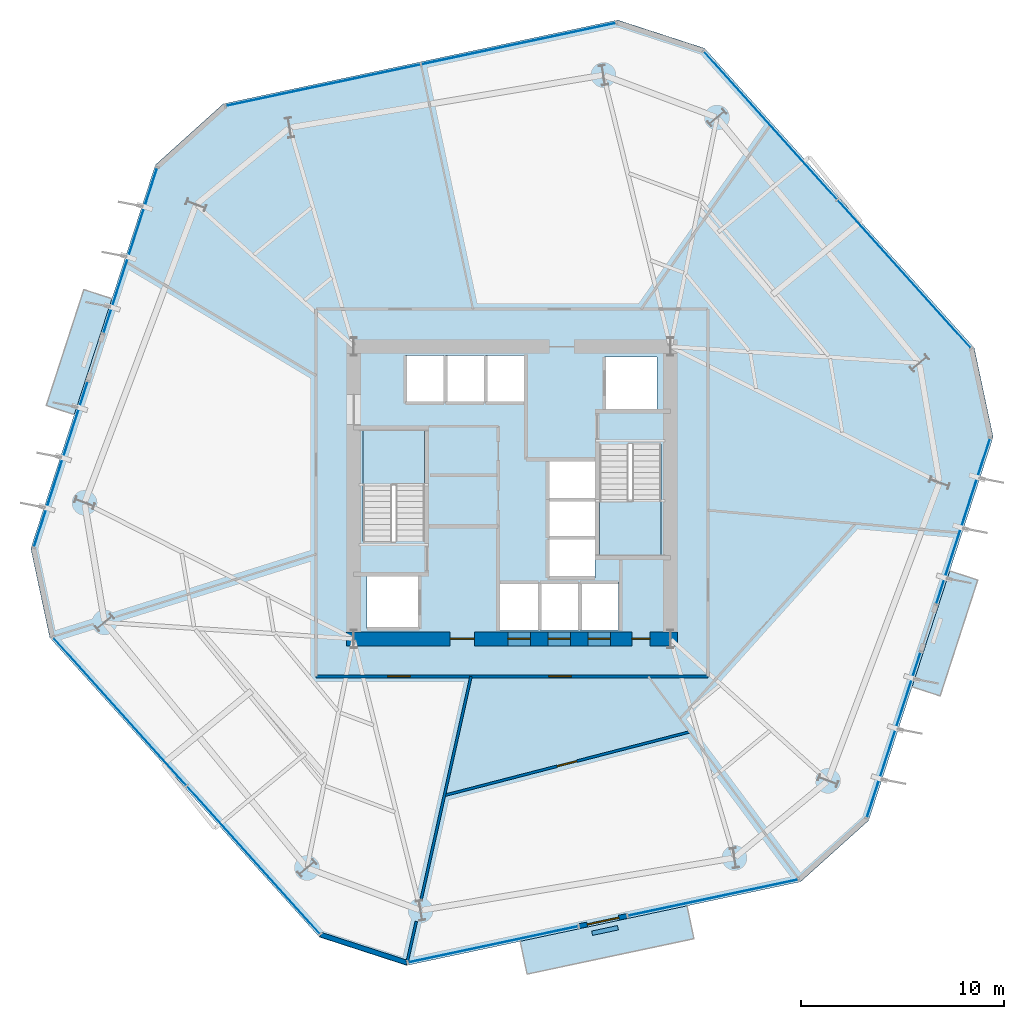
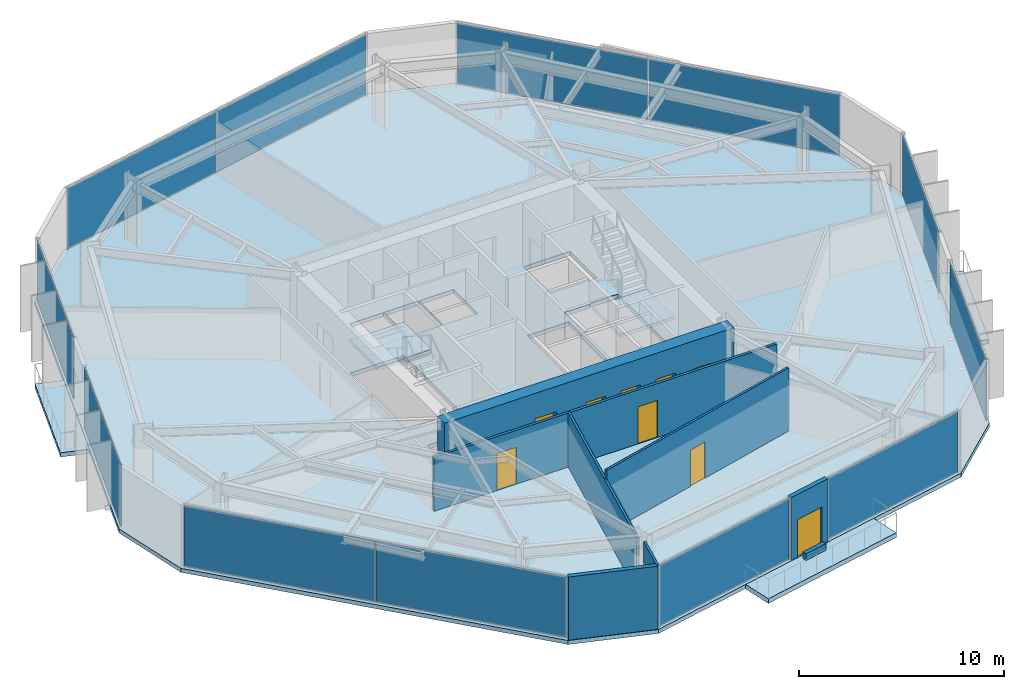
# One storey, part 5 of 10: 12 plates, 9 doors, 8 walls, 6 slabs, 9 openings, 11 elements without a shape of their own.
"""IFC4 building model written with IfcOpenShell, lengths in metres."""

from ifc_helpers import new_model, si_unit, direction, frame, frame_2d, origin, origin_2d, place, context, subcontext, project, spatial, polyline, rectangle, outline, extrude, material, layer, layer_set, type_object, element, fill, aggregate, save


model = new_model("IFC4")

# Units and contexts
model_context = context("Model", 3, precision=1e-05, world=origin(), true_north=direction((0.0, 1.0)))
body_context = subcontext(model_context, "Body", "Model", "MODEL_VIEW")
ifc_project = project(units=[si_unit("LENGTHUNIT", "METRE"), si_unit("AREAUNIT", "SQUARE_METRE"), si_unit("VOLUMEUNIT", "CUBIC_METRE"), si_unit("PLANEANGLEUNIT", "RADIAN"), si_unit("MASSUNIT", "GRAM", prefix="KILO")], contexts=[model_context])

# Site, building, storey
site_placement = place(None, origin())
site = spatial("IfcSite", under=ifc_project, at=site_placement, CompositionType="ELEMENT")
building_placement = place(site_placement, origin())
building = spatial("IfcBuilding", under=site, at=building_placement, Name="Kranzbogen Civic Tower", CompositionType="ELEMENT")
storey_placement = place(building_placement, frame((0.0, 0.0, 68.0)))
storey = spatial("IfcBuildingStorey", under=building, at=storey_placement, Name="L16", CompositionType="ELEMENT", Elevation=68.0)

# Slab
ifc_material_1 = material(Name="Concrete C40/50", Category="concrete")
ifc_layer_1 = layer(ifc_material_1, 0.239990234375, Name="Concrete C40/50")
ifc_layer_set_1 = layer_set([ifc_layer_1], Name="Concrete C40/50")
slab_type_1 = type_object("IfcSlabType", Name="Composite Lower Tower Floor Slab 240 mm", PredefinedType="FLOOR", material=ifc_layer_set_1)
slab_1_placement = place(storey_placement, frame((0.0, 0.0, -0.239990234375)))
element("IfcSlab", 1, at=slab_1_placement, inside=storey, type_object=slab_type_1, Name="L16 tower floor slab", PredefinedType="FLOOR", context=body_context, shape_type="SweptSolid", body=[
    extrude(outline(polyline([(47.77099609375, 32.139892578125), (34.48095703125, 46.89990234375), (30.201904296875, 48.2900390625), (10.77490234375, 44.160888671875), (7.430908203125, 41.14990234375), (1.29296875, 22.260986328125), (2.22900390625, 17.860107421875), (15.51904296875, 3.10009765625), (19.798095703125, 1.7099609375), (39.22509765625, 5.839111328125), (42.569091796875, 8.85009765625), (48.70703125, 27.739013671875), (47.77099609375, 32.139892578125)]), holes=[polyline([(26.300048828125, 20.60009765625), (26.300048828125, 18.25), (24.39990234375, 18.25), (24.39990234375, 20.60009765625), (26.300048828125, 20.60009765625)]), polyline([(28.27490234375, 18.25), (26.375, 18.25), (26.375, 20.60009765625), (28.27490234375, 20.60009765625), (28.27490234375, 18.25)]), polyline([(20.449951171875, 18.300048828125), (17.85009765625, 18.300048828125), (17.85009765625, 20.89990234375), (20.449951171875, 20.89990234375), (20.449951171875, 18.300048828125)]), polyline([(20.699951171875, 22.659912109375), (19.25, 22.659912109375), (19.25, 22.60009765625), (17.64990234375, 22.60009765625), (17.64990234375, 28.10009765625), (20.699951171875, 28.10009765625), (20.699951171875, 22.659912109375)]), polyline([(21.64990234375, 29.39990234375), (19.75, 29.39990234375), (19.75, 31.75), (21.64990234375, 31.75), (21.64990234375, 29.39990234375)]), polyline([(23.625, 29.39990234375), (21.72509765625, 29.39990234375), (21.72509765625, 31.75), (23.625, 31.75), (23.625, 29.39990234375)]), polyline([(25.60009765625, 31.75), (25.60009765625, 29.39990234375), (23.699951171875, 29.39990234375), (23.699951171875, 31.75), (25.60009765625, 31.75)]), polyline([(30.25, 18.25), (28.35009765625, 18.25), (28.35009765625, 20.60009765625), (30.25, 20.60009765625), (30.25, 18.25)]), polyline([(29.10009765625, 20.800048828125), (26.75, 20.800048828125), (26.75, 22.699951171875), (29.10009765625, 22.699951171875), (29.10009765625, 20.800048828125)]), polyline([(26.75, 26.550048828125), (29.10009765625, 26.550048828125), (29.10009765625, 24.675048828125), (29.10009765625, 24.64990234375), (29.10009765625, 22.77490234375), (26.75, 22.77490234375), (26.75, 24.64990234375), (26.75, 24.675048828125), (26.75, 26.550048828125)]), polyline([(30.75, 27.340087890625), (30.75, 27.39990234375), (32.35009765625, 27.39990234375), (32.35009765625, 21.89990234375), (29.300048828125, 21.89990234375), (29.300048828125, 27.340087890625), (30.75, 27.340087890625)]), polyline([(32.14990234375, 29.10009765625), (29.550048828125, 29.10009765625), (29.550048828125, 31.699951171875), (32.14990234375, 31.699951171875), (32.14990234375, 29.10009765625)])]), origin(), (0.0, 0.0, 1.0), 0.239990234375),
])

# Curtain wall, plates
ifc_material_2 = material(Name="Pale Anodised Aluminium", Category="aluminium")
ifc_layer_2 = layer(ifc_material_2, 0.219970703125, Name="Pale Anodised Aluminium")
ifc_layer_set_2 = layer_set([ifc_layer_2], Name="Pale Anodised Aluminium")
curtain_wall_type = type_object("IfcCurtainWallType", Name="Zone 1 Stick Curtain Wall System CW-02", PredefinedType="USERDEFINED", material=ifc_layer_set_2)
curtain_wall_1_placement = place(storey_placement, origin())
curtain_wall_1 = element("IfcCurtainWall", 2, at=curtain_wall_1_placement, inside=storey, type_object=curtain_wall_type, Name="L16 curtain wall CW-L16-F1", ObjectType="STICK CURTAIN WALL", PredefinedType="USERDEFINED")
ifc_material_3 = material(Name="Low-E Triple Glazing Glass", Category="glass")
ifc_layer_3 = layer(ifc_material_3, 0.033935546875, Name="Low-E Triple Glazing Glass")
ifc_layer_set_3 = layer_set([ifc_layer_3], Name="Low-E Triple Glazing Glass")
plate_type = type_object("IfcPlateType", Name="Insulated Low-E Glazing Panel 34 mm", PredefinedType="CURTAIN_PANEL", material=ifc_layer_set_3)
plate_1_placement = place(storey_placement, frame((44.323974609375, 35.777587890625, 0.06005859375), z_axis=(0.0, 0.0, 1.0), x_axis=(-0.669115812041, 0.743158146074, 0.0)))
plate_1 = element("IfcPlate", 3, at=plate_1_placement, type_object=plate_type, Name="CW-02 panel 1.1", PredefinedType="CURTAIN_PANEL", context=body_context, shape_type="SweptSolid", body=[
    extrude(rectangle(XDim=9.78271484375, YDim=0.028076171875, at=origin_2d()), origin(), (0.0, 0.0, 1.0), 3.639892578125),
])
plate_2_placement = place(storey_placement, frame((37.738037109375, 43.09228515625, 0.06005859375), z_axis=(0.0, 0.0, 1.0), x_axis=(-0.669115812041, 0.743158146074, 0.0)))
plate_2 = element("IfcPlate", 4, at=plate_2_placement, type_object=plate_type, Name="CW-02 panel 2.1", PredefinedType="CURTAIN_PANEL", context=body_context, shape_type="SweptSolid", body=[
    extrude(rectangle(XDim=9.78271484375, YDim=0.028076171875, at=origin_2d()), origin(), (0.0, 0.0, 1.0), 3.639892578125),
])
aggregate(curtain_wall_1, [plate_1, plate_2])

curtain_wall_2_placement = place(storey_placement, origin())
curtain_wall_2 = element("IfcCurtainWall", 5, at=curtain_wall_2_placement, inside=storey, type_object=curtain_wall_type, Name="L16 curtain wall CW-L16-F2", ObjectType="STICK CURTAIN WALL", PredefinedType="USERDEFINED")
plate_3_placement = place(storey_placement, frame((25.328125, 47.123779296875, 0.06005859375), z_axis=(0.0, 0.0, 1.0), x_axis=(-0.97815897964, -0.207858150069, 0.0)))
plate_3 = element("IfcPlate", 6, at=plate_3_placement, type_object=plate_type, Name="CW-02 panel 1.1", PredefinedType="CURTAIN_PANEL", context=body_context, shape_type="SweptSolid", body=[
    extrude(rectangle(XDim=9.7822265625, YDim=0.028076171875, at=origin_2d()), origin(), (0.0, 0.0, 1.0), 3.639892578125),
])
plate_4_placement = place(storey_placement, frame((15.700927734375, 45.078125, 0.06005859375), z_axis=(0.0, 0.0, 1.0), x_axis=(-0.97815897964, -0.207858150069, 0.0)))
plate_4 = element("IfcPlate", 7, at=plate_4_placement, type_object=plate_type, Name="CW-02 panel 2.1", PredefinedType="CURTAIN_PANEL", context=body_context, shape_type="SweptSolid", body=[
    extrude(rectangle(XDim=9.7822265625, YDim=0.028076171875, at=origin_2d()), origin(), (0.0, 0.0, 1.0), 3.639892578125),
])
aggregate(curtain_wall_2, [plate_3, plate_4])

# Curtain wall, plate
curtain_wall_3_placement = place(storey_placement, origin())
curtain_wall_3 = element("IfcCurtainWall", 8, at=curtain_wall_3_placement, inside=storey, type_object=curtain_wall_type, Name="L16 curtain wall CW-L16-F3-S1", ObjectType="STICK CURTAIN WALL", PredefinedType="USERDEFINED")
plate_5_placement = place(storey_placement, frame((6.194091796875, 36.931396484375, 0.06005859375), z_axis=(0.0, 0.0, 1.0), x_axis=(-0.30905738889, -0.951043390373, 0.0)))
plate_5 = element("IfcPlate", 9, at=plate_5_placement, type_object=plate_type, Name="CW-02 panel 1.1", PredefinedType="CURTAIN_PANEL", context=body_context, shape_type="SweptSolid", body=[
    extrude(rectangle(XDim=8.551513671875, YDim=0.028076171875, at=origin_2d()), origin(), (0.0, 0.0, 1.0), 3.639892578125),
])
aggregate(curtain_wall_3, [plate_5])

curtain_wall_4_placement = place(storey_placement, origin())
curtain_wall_4 = element("IfcCurtainWall", 10, at=curtain_wall_4_placement, inside=storey, type_object=curtain_wall_type, Name="L16 curtain wall CW-L16-F3-S2", ObjectType="STICK CURTAIN WALL", PredefinedType="USERDEFINED")
plate_6_placement = place(storey_placement, frame((2.77197265625, 26.40087890625, 0.06005859375), z_axis=(0.0, 0.0, 1.0), x_axis=(-0.30902349677, -0.951054403514, 0.0)))
plate_6 = element("IfcPlate", 11, at=plate_6_placement, type_object=plate_type, Name="CW-02 panel 1.1", PredefinedType="CURTAIN_PANEL", context=body_context, shape_type="SweptSolid", body=[
    extrude(rectangle(XDim=8.552490234375, YDim=0.028076171875, at=origin_2d()), origin(), (0.0, 0.0, 1.0), 3.639892578125),
])
aggregate(curtain_wall_4, [plate_6])

# Curtain wall, plates
curtain_wall_5_placement = place(storey_placement, origin())
curtain_wall_5 = element("IfcCurtainWall", 12, at=curtain_wall_5_placement, inside=storey, type_object=curtain_wall_type, Name="L16 curtain wall CW-L16-F4", ObjectType="STICK CURTAIN WALL", PredefinedType="USERDEFINED")
plate_7_placement = place(storey_placement, frame((5.676025390625, 14.222412109375, 0.06005859375), z_axis=(0.0, 0.0, 1.0), x_axis=(0.669115812041, -0.743158146074, 0.0)))
plate_7 = element("IfcPlate", 13, at=plate_7_placement, type_object=plate_type, Name="CW-02 panel 1.1", PredefinedType="CURTAIN_PANEL", context=body_context, shape_type="SweptSolid", body=[
    extrude(rectangle(XDim=9.78271484375, YDim=0.028076171875, at=origin_2d()), origin(), (0.0, 0.0, 1.0), 3.639892578125),
])
plate_8_placement = place(storey_placement, frame((12.261962890625, 6.90771484375, 0.06005859375), z_axis=(0.0, 0.0, 1.0), x_axis=(0.669115812041, -0.743158146074, 0.0)))
plate_8 = element("IfcPlate", 14, at=plate_8_placement, type_object=plate_type, Name="CW-02 panel 2.1", PredefinedType="CURTAIN_PANEL", context=body_context, shape_type="SweptSolid", body=[
    extrude(rectangle(XDim=9.78271484375, YDim=0.028076171875, at=origin_2d()), origin(), (0.0, 0.0, 1.0), 3.639892578125),
])
aggregate(curtain_wall_5, [plate_7, plate_8])

# Curtain wall, plate
curtain_wall_6_placement = place(storey_placement, origin())
curtain_wall_6 = element("IfcCurtainWall", 15, at=curtain_wall_6_placement, inside=storey, type_object=curtain_wall_type, Name="L16 curtain wall CW-L16-F5-S1", ObjectType="STICK CURTAIN WALL", PredefinedType="USERDEFINED")
plate_9_placement = place(storey_placement, frame((24.070068359375, 2.748046875, 0.06005859375), z_axis=(0.0, 0.0, 1.0), x_axis=(0.978168814906, 0.207811860934, 0.0)))
plate_9 = element("IfcPlate", 16, at=plate_9_placement, type_object=plate_type, Name="CW-02 panel 1.1", PredefinedType="CURTAIN_PANEL", context=body_context, shape_type="SweptSolid", body=[
    extrude(rectangle(XDim=8.55126953125, YDim=0.028076171875, at=origin_2d()), origin(), (0.0, 0.0, 1.0), 3.639892578125),
])
aggregate(curtain_wall_6, [plate_9])

curtain_wall_7_placement = place(storey_placement, origin())
curtain_wall_7 = element("IfcCurtainWall", 17, at=curtain_wall_7_placement, inside=storey, type_object=curtain_wall_type, Name="L16 curtain wall CW-L16-F5-S2", ObjectType="STICK CURTAIN WALL", PredefinedType="USERDEFINED")
plate_10_placement = place(storey_placement, frame((34.89990234375, 5.049560546875, 0.06005859375), z_axis=(0.0, 0.0, 1.0), x_axis=(0.978155334557, 0.207875302712, 0.0)))
plate_10 = element("IfcPlate", 18, at=plate_10_placement, type_object=plate_type, Name="CW-02 panel 1.1", PredefinedType="CURTAIN_PANEL", context=body_context, shape_type="SweptSolid", body=[
    extrude(rectangle(XDim=8.553466796875, YDim=0.028076171875, at=origin_2d()), origin(), (0.0, 0.0, 1.0), 3.639892578125),
])
aggregate(curtain_wall_7, [plate_10])

curtain_wall_8_placement = place(storey_placement, origin())
curtain_wall_8 = element("IfcCurtainWall", 19, at=curtain_wall_8_placement, inside=storey, type_object=curtain_wall_type, Name="L16 curtain wall CW-L16-F6-S1", ObjectType="STICK CURTAIN WALL", PredefinedType="USERDEFINED")
plate_11_placement = place(storey_placement, frame((43.805908203125, 13.068603515625, 0.06005859375), z_axis=(0.0, 0.0, 1.0), x_axis=(0.30905738889, 0.951043390373, 0.0)))
plate_11 = element("IfcPlate", 20, at=plate_11_placement, type_object=plate_type, Name="CW-02 panel 1.1", PredefinedType="CURTAIN_PANEL", context=body_context, shape_type="SweptSolid", body=[
    extrude(rectangle(XDim=8.551513671875, YDim=0.028076171875, at=origin_2d()), origin(), (0.0, 0.0, 1.0), 3.639892578125),
])
aggregate(curtain_wall_8, [plate_11])

curtain_wall_9_placement = place(storey_placement, origin())
curtain_wall_9 = element("IfcCurtainWall", 21, at=curtain_wall_9_placement, inside=storey, type_object=curtain_wall_type, Name="L16 curtain wall CW-L16-F6-S2", ObjectType="STICK CURTAIN WALL", PredefinedType="USERDEFINED")
plate_12_placement = place(storey_placement, frame((47.22802734375, 23.59912109375, 0.06005859375), z_axis=(0.0, 0.0, 1.0), x_axis=(0.30902349677, 0.951054403514, 0.0)))
plate_12 = element("IfcPlate", 22, at=plate_12_placement, type_object=plate_type, Name="CW-02 panel 1.1", PredefinedType="CURTAIN_PANEL", context=body_context, shape_type="SweptSolid", body=[
    extrude(rectangle(XDim=8.552490234375, YDim=0.028076171875, at=origin_2d()), origin(), (0.0, 0.0, 1.0), 3.639892578125),
])
aggregate(curtain_wall_9, [plate_12])

# Stair, slab
ifc_material_4 = material(Name="Precast concrete C40/50", Category="concrete")
stair_type_1 = type_object("IfcStairType", Name="Tower Core Pressurized Dogleg Stair 1450", PredefinedType="HALF_TURN_STAIR", material=ifc_material_4)
stair_1_placement = place(storey_placement, origin())
stair_1 = element("IfcStair", 23, at=stair_1_placement, inside=storey, type_object=stair_type_1, Name="L16 Tower Core Pressurized Stair 1", PredefinedType="HALF_TURN_STAIR")
ifc_layer_4 = layer(ifc_material_4, 0.199951171875, Name="Precast concrete C40/50")
ifc_layer_set_4 = layer_set([ifc_layer_4], Name="Precast concrete C40/50")
slab_type_2 = type_object("IfcSlabType", Name="Precast Concrete Stair Landing Slab 200 mm", PredefinedType="LANDING", material=ifc_layer_set_4)
slab_2_placement = place(storey_placement, frame((0.0, 0.0, 1.800048828125)))
slab_2 = element("IfcSlab", 24, at=slab_2_placement, type_object=slab_type_2, Name="ST-T1 landing 1", PredefinedType="LANDING", context=body_context, shape_type="SweptSolid", body=[
    extrude(outline(polyline([(20.699951171875, 25.39990234375), (20.699951171875, 28.10009765625), (17.64990234375, 28.10009765625), (17.64990234375, 25.39990234375), (20.699951171875, 25.39990234375)])), origin(), (0.0, 0.0, 1.0), 0.199951171875),
])
aggregate(stair_1, [slab_2])

stair_type_2 = type_object("IfcStairType", Name="Tower Core Secondary Dogleg Stair 1450", PredefinedType="HALF_TURN_STAIR", material=ifc_material_4)
stair_2_placement = place(storey_placement, origin())
stair_2 = element("IfcStair", 25, at=stair_2_placement, inside=storey, type_object=stair_type_2, Name="L16 Tower Core Pressurized Stair 2", PredefinedType="HALF_TURN_STAIR")
slab_3_placement = place(storey_placement, frame((0.0, 0.0, 1.800048828125)))
slab_3 = element("IfcSlab", 26, at=slab_3_placement, type_object=slab_type_2, Name="ST-T2 landing 1", PredefinedType="LANDING", context=body_context, shape_type="SweptSolid", body=[
    extrude(outline(polyline([(29.300048828125, 24.60009765625), (29.300048828125, 21.89990234375), (32.35009765625, 21.89990234375), (32.35009765625, 24.60009765625), (29.300048828125, 24.60009765625)])), origin(), (0.0, 0.0, 1.0), 0.199951171875),
])
aggregate(stair_2, [slab_3])

# Slabs
ifc_layer_5 = layer(ifc_material_1, 0.280029296875, Name="Concrete C40/50")
ifc_layer_set_5 = layer_set([ifc_layer_5], Name="Concrete C40/50")
slab_type_3 = type_object("IfcSlabType", Name="Spiral Terrace Cantilevered Slab 280 mm", PredefinedType="FLOOR", material=ifc_layer_set_5)
slab_4_placement = place(storey_placement, frame((0.0, 0.0, -0.280029296875)))
element("IfcSlab", 27, at=slab_4_placement, inside=storey, type_object=slab_type_3, Name="L16 cantilevered spiral terrace L16-ST", PredefinedType="FLOOR", context=body_context, shape_type="SweptSolid", body=[
    extrude(outline(polyline([(25.403076171875, 2.90087890625), (33.6201171875, 4.64697265625), (33.962890625, 3.032958984375), (25.74609375, 1.287109375), (25.403076171875, 2.90087890625)])), origin(), (0.0, 0.0, 1.0), 0.280029296875),
])
ifc_layer_6 = layer(ifc_material_1, 0.25, Name="Concrete C40/50")
ifc_layer_set_6 = layer_set([ifc_layer_6], Name="Concrete C40/50")
slab_type_4 = type_object("IfcSlabType", Name="Tree Balcony Cantilevered Slab 250 mm", PredefinedType="FLOOR", material=ifc_layer_set_6)
slab_5_placement = place(storey_placement, frame((0.0, 0.0, -0.25)))
element("IfcSlab", 28, at=slab_5_placement, inside=storey, type_object=slab_type_4, Name="L16 cantilevered tree balcony L16-TB1", PredefinedType="FLOOR", context=body_context, shape_type="SweptSolid", body=[
    extrude(outline(polyline([(5.2890625, 34.55908203125), (3.43505859375, 28.85205078125), (2.055908203125, 29.300048828125), (3.909912109375, 35.007080078125), (5.2890625, 34.55908203125)])), origin(), (0.0, 0.0, 1.0), 0.25),
])
slab_6_placement = place(storey_placement, frame((0.0, 0.0, -0.25)))
element("IfcSlab", 29, at=slab_6_placement, inside=storey, type_object=slab_type_4, Name="L16 cantilevered tree balcony L16-TB2", PredefinedType="FLOOR", context=body_context, shape_type="SweptSolid", body=[
    extrude(outline(polyline([(44.7109375, 15.44091796875), (46.56494140625, 21.14794921875), (47.944091796875, 20.699951171875), (46.090087890625, 14.992919921875), (44.7109375, 15.44091796875)])), origin(), (0.0, 0.0, 1.0), 0.25),
])

# Wall, openings, doors
ifc_material_5 = material(Name="Double-Stud Acoustic Gypsum Partition")
ifc_layer_7 = layer(ifc_material_5, 0.14990234375, Name="Double-Stud Acoustic Gypsum Partition")
ifc_layer_set_7 = layer_set([ifc_layer_7], Name="Double-Stud Acoustic Gypsum Partition")
wall_type_1 = type_object("IfcWallType", Name="Acoustic Corridor and Clinical Partition 150 mm", PredefinedType="PARTITIONING", material=ifc_layer_set_7)
wall_1_placement = place(storey_placement, frame((34.64990234375, 15.949951171875, 0.0), z_axis=(0.0, 0.0, 1.0), x_axis=(-1.0, 0.0, 0.0)))
wall_1 = element("IfcWall", 30, at=wall_1_placement, inside=storey, type_object=wall_type_1, Name="L16 corridor partition 03", PredefinedType="PARTITIONING", context=body_context, shape_type="SweptSolid", body=[
    extrude(rectangle(XDim=19.2998046875, YDim=0.14990234375, at=frame_2d((9.64990234375, 0.0))), origin(), (0.0, 0.0, 1.0), 3.2099609375),
])
opening_1_placement = place(wall_1_placement, frame((14.672119140625, 0.0, 0.0)))
opening_1 = element("IfcOpeningElement", 31, at=opening_1_placement, cuts=wall_1, Name="Opening D-COR60", PredefinedType="OPENING", context=body_context, shape_type="SweptSolid", body=[
    extrude(rectangle(XDim=1.10009765625, YDim=2.199951171875, at=frame_2d((0.550048828125, 1.10009765625))), frame((0.0, 0.0849609375, 0.0), z_axis=(0.0, -1.0, 0.0), x_axis=(1.0, 0.0, 0.0)), (0.0, 0.0, 1.0), 0.169921875),
])
opening_2_placement = place(wall_1_placement, frame((6.72802734375, 0.0, 0.0)))
opening_2 = element("IfcOpeningElement", 32, at=opening_2_placement, cuts=wall_1, Name="Opening D-COR60", PredefinedType="OPENING", context=body_context, shape_type="SweptSolid", body=[
    extrude(rectangle(XDim=1.10009765625, YDim=2.199951171875, at=frame_2d((0.550048828125, 1.10009765625))), frame((0.0, 0.0849609375, 0.0), z_axis=(0.0, -1.0, 0.0), x_axis=(1.0, 0.0, 0.0)), (0.0, 0.0, 1.0), 0.169921875),
])
ifc_material_6 = material(Name="Oak Timber and Fire Core", Category="wood")
door_type_1 = type_object("IfcDoorType", Name="Corridor Acoustic Fire Door 1100x2200", OperationType="NOTDEFINED", PredefinedType="DOOR", material=ifc_material_6)
door_1_placement = place(opening_1_placement, origin())
door_1 = element("IfcDoor", 33, at=door_1_placement, inside=storey, type_object=door_type_1, Name="L16 Visitor Concierge Foyer door", OperationType="SINGLE_SWING_LEFT", OverallHeight=2.199951171875, OverallWidth=1.10009765625, PredefinedType="DOOR", context=body_context, shape_type="SweptSolid", body=[
    extrude(rectangle(XDim=1.10009765625, YDim=2.199951171875, at=frame_2d((0.550048828125, 1.10009765625))), frame((0.0, 0.02490234375, 0.0), z_axis=(0.0, -1.0, 0.0), x_axis=(1.0, 0.0, 0.0)), (0.0, 0.0, 1.0), 0.050048828125),
])
fill(opening_1, door_1)
door_2_placement = place(opening_2_placement, origin())
door_2 = element("IfcDoor", 34, at=door_2_placement, inside=storey, type_object=door_type_1, Name="L16 Directorate Admin Workspace door", OperationType="SINGLE_SWING_RIGHT", OverallHeight=2.199951171875, OverallWidth=1.10009765625, PredefinedType="DOOR", context=body_context, shape_type="SweptSolid", body=[
    extrude(rectangle(XDim=1.10009765625, YDim=2.199951171875, at=frame_2d((0.550048828125, 1.10009765625))), frame((0.0, 0.02490234375, 0.0), z_axis=(0.0, -1.0, 0.0), x_axis=(1.0, 0.0, 0.0)), (0.0, 0.0, 1.0), 0.050048828125),
])
fill(opening_2, door_2)

# Walls
ifc_material_7 = material(Name="Insulated Metal-Stud Gypsum Partition")
ifc_layer_8 = layer(ifc_material_7, 0.125, Name="Insulated Metal-Stud Gypsum Partition")
ifc_layer_set_8 = layer_set([ifc_layer_8], Name="Insulated Metal-Stud Gypsum Partition")
wall_type_2 = type_object("IfcWallType", Name="Acoustic Inter-Room Partition 125 mm", PredefinedType="PARTITIONING", material=ifc_layer_set_8)
wall_2_placement = place(storey_placement, frame((22.97900390625, 15.949951171875, 0.0), z_axis=(0.0, 0.0, 1.0), x_axis=(-0.218014245953, -0.975945586886, 0.0)))
element("IfcWall", 35, at=wall_2_placement, inside=storey, type_object=wall_type_2, Name="L16 radial room partition 05 part 1", PredefinedType="PARTITIONING", context=body_context, shape_type="SweptSolid", body=[
    extrude(rectangle(XDim=11.256591796875, YDim=0.125, at=frame_2d((5.62841796875, 0.0))), origin(), (0.0, 0.0, 1.0), 3.2099609375),
])
wall_3_placement = place(storey_placement, frame((20.283935546875, 3.884033203125, 0.0), z_axis=(0.0, 0.0, 1.0), x_axis=(-0.218067911201, -0.97593359718, 0.0)))
element("IfcWall", 36, at=wall_3_placement, inside=storey, type_object=wall_type_2, Name="L16 radial room partition 05 part 2", PredefinedType="PARTITIONING", context=body_context, shape_type="SweptSolid", body=[
    extrude(rectangle(XDim=2.06787109375, YDim=0.125, at=frame_2d((1.033935546875, 0.0))), origin(), (0.0, 0.0, 1.0), 3.760009765625),
])

# Wall, opening, door
wall_4_placement = place(storey_placement, frame((21.68603515625, 10.093017578125, 0.0), z_axis=(0.0, 0.0, 1.0), x_axis=(0.968058125552, 0.250725877309, 0.0)))
wall_4 = element("IfcWall", 37, at=wall_4_placement, inside=storey, type_object=wall_type_2, Name="L16 suite chord partition 01", PredefinedType="PARTITIONING", context=body_context, shape_type="SweptSolid", body=[
    extrude(rectangle(XDim=12.443359375, YDim=0.125, at=frame_2d((6.2216796875, 0.0))), origin(), (0.0, 0.0, 1.0), 3.760009765625),
])
opening_3_placement = place(wall_4_placement, frame((5.721923828125, 0.0, 0.0)))
opening_3 = element("IfcOpeningElement", 38, at=opening_3_placement, cuts=wall_4, Name="Opening D-OFC10", PredefinedType="OPENING", context=body_context, shape_type="SweptSolid", body=[
    extrude(rectangle(XDim=1.0, YDim=2.14990234375, at=frame_2d((0.5, 1.074951171875))), frame((0.0, 0.072509765625, 0.0), z_axis=(0.0, -1.0, 0.0), x_axis=(1.0, 0.0, 0.0)), (0.0, 0.0, 1.0), 0.14501953125),
])
ifc_material_8 = material(Name="Oak Timber Veneer", Category="wood")
door_type_2 = type_object("IfcDoorType", Name="Standard Office Acoustic Door 1000x2150", OperationType="NOTDEFINED", PredefinedType="DOOR", material=ifc_material_8)
door_3_placement = place(opening_3_placement, origin())
door_3 = element("IfcDoor", 39, at=door_3_placement, inside=storey, type_object=door_type_2, Name="L16 Legal Counsel Office door", OperationType="SINGLE_SWING_LEFT", OverallHeight=2.14990234375, OverallWidth=1.0, PredefinedType="DOOR", context=body_context, shape_type="SweptSolid", body=[
    extrude(rectangle(XDim=1.0, YDim=2.14990234375, at=frame_2d((0.5, 1.074951171875))), frame((0.0, 0.02490234375, 0.0), z_axis=(0.0, -1.0, 0.0), x_axis=(1.0, 0.0, 0.0)), (0.0, 0.0, 1.0), 0.050048828125),
])
fill(opening_3, door_3)

# Wall
ifc_material_9 = material(Name="Architectural Precast Terracotta Concrete C40/50", Category="masonry")
ifc_layer_9 = layer(ifc_material_9, 0.219970703125, Name="Architectural Precast Terracotta Concrete C40/50")
ifc_layer_set_9 = layer_set([ifc_layer_9], Name="Architectural Precast Terracotta Concrete C40/50")
wall_type_3 = type_object("IfcWallType", Name="Architectural Tree Planter Kerb Wall 220 mm", PredefinedType="USERDEFINED", material=ifc_layer_set_9)
wall_5_placement = place(storey_placement, frame((28.947998046875, 3.300048828125, 0.0), z_axis=(0.0, 0.0, 1.0), x_axis=(0.978201775866, 0.20765665338, 0.0)))
element("IfcWall", 40, at=wall_5_placement, inside=storey, type_object=wall_type_3, Name="L16 landscaped tree balcony planter L16-ST", ObjectType="PLANTER_WALL", PredefinedType="USERDEFINED", context=body_context, shape_type="SweptSolid", body=[
    extrude(rectangle(XDim=1.30029296875, YDim=0.219970703125, at=frame_2d((0.650146484375, 0.0))), origin(), (0.0, 0.0, 1.0), 0.39990234375),
])

# Wall, openings, doors
ifc_material_10 = material(Name="Concrete C55/67", Category="concrete")
ifc_layer_10 = layer(ifc_material_10, 0.699951171875, Name="Concrete C55/67")
ifc_layer_set_10 = layer_set([ifc_layer_10], Name="Concrete C55/67")
wall_type_4 = type_object("IfcWallType", Name="Central Core Shear Wall 700 mm", PredefinedType="SHEAR", material=ifc_layer_set_10)
wall_6_placement = place(storey_placement, frame((16.85009765625, 17.800048828125, 0.0), z_axis=(0.0, 0.0, 1.0), x_axis=(1.0, 0.0, 0.0)))
wall_6 = element("IfcWall", 41, at=wall_6_placement, inside=storey, type_object=wall_type_4, Name="L16 central core South shear wall", PredefinedType="SHEAR", context=body_context, shape_type="SweptSolid", body=[
    extrude(rectangle(XDim=16.2998046875, YDim=0.699951171875, at=frame_2d((8.14990234375, 0.0))), origin(), (0.0, 0.0, 1.0), 3.760009765625),
])
opening_4_placement = place(wall_6_placement, frame((5.10009765625, 0.0, 0.0)))
opening_4 = element("IfcOpeningElement", 42, at=opening_4_placement, cuts=wall_6, Name="Opening D-EX120", PredefinedType="OPENING", context=body_context, shape_type="SweptSolid", body=[
    extrude(rectangle(XDim=1.199951171875, YDim=2.25, at=frame_2d((0.60009765625, 1.125))), frame((0.0, 0.35986328125, 0.0), z_axis=(0.0, -1.0, 0.0), x_axis=(1.0, 0.0, 0.0)), (0.0, 0.0, 1.0), 0.719970703125),
])
opening_5_placement = place(wall_6_placement, frame((14.050048828125, 0.0, 0.0)))
opening_5 = element("IfcOpeningElement", 43, at=opening_5_placement, cuts=wall_6, Name="Opening D-WC90", PredefinedType="OPENING", context=body_context, shape_type="SweptSolid", body=[
    extrude(rectangle(XDim=0.89990234375, YDim=2.10009765625, at=frame_2d((0.449951171875, 1.050048828125))), frame((0.0, 0.35986328125, 0.0), z_axis=(0.0, -1.0, 0.0), x_axis=(1.0, 0.0, 0.0)), (0.0, 0.0, 1.0), 0.719970703125),
])
opening_6_placement = place(wall_6_placement, frame((7.949951171875, 0.0, 0.0)))
opening_6 = element("IfcOpeningElement", 44, at=opening_6_placement, cuts=wall_6, Name="Opening LD-LP-01", PredefinedType="OPENING", context=body_context, shape_type="SweptSolid", body=[
    extrude(rectangle(XDim=1.10009765625, YDim=2.199951171875, at=frame_2d((0.550048828125, 1.10009765625))), frame((0.0, 0.35986328125, 0.0), z_axis=(0.0, -1.0, 0.0), x_axis=(1.0, 0.0, 0.0)), (0.0, 0.0, 1.0), 0.719970703125),
])
opening_7_placement = place(wall_6_placement, frame((9.925048828125, 0.0, 0.0)))
opening_7 = element("IfcOpeningElement", 45, at=opening_7_placement, cuts=wall_6, Name="Opening LD-LP-02", PredefinedType="OPENING", context=body_context, shape_type="SweptSolid", body=[
    extrude(rectangle(XDim=1.10009765625, YDim=2.199951171875, at=frame_2d((0.550048828125, 1.10009765625))), frame((0.0, 0.35986328125, 0.0), z_axis=(0.0, -1.0, 0.0), x_axis=(1.0, 0.0, 0.0)), (0.0, 0.0, 1.0), 0.719970703125),
])
opening_8_placement = place(wall_6_placement, frame((11.89990234375, 0.0, 0.0)))
opening_8 = element("IfcOpeningElement", 46, at=opening_8_placement, cuts=wall_6, Name="Opening LD-LP-03", PredefinedType="OPENING", context=body_context, shape_type="SweptSolid", body=[
    extrude(rectangle(XDim=1.10009765625, YDim=2.199951171875, at=frame_2d((0.550048828125, 1.10009765625))), frame((0.0, 0.35986328125, 0.0), z_axis=(0.0, -1.0, 0.0), x_axis=(1.0, 0.0, 0.0)), (0.0, 0.0, 1.0), 0.719970703125),
])
ifc_material_11 = material(Name="Steel S355", Category="steel")
door_type_3 = type_object("IfcDoorType", Name="Exit Passageway Fire Door 1200x2250", OperationType="NOTDEFINED", PredefinedType="DOOR", material=ifc_material_11)
door_4_placement = place(opening_4_placement, origin())
door_4 = element("IfcDoor", 47, at=door_4_placement, inside=storey, type_object=door_type_3, Name="L16 West firefighting lobby corridor door", OperationType="SINGLE_SWING_RIGHT", OverallHeight=2.25, OverallWidth=1.199951171875, PredefinedType="DOOR", context=body_context, shape_type="SweptSolid", body=[
    extrude(rectangle(XDim=1.199951171875, YDim=2.25, at=frame_2d((0.60009765625, 1.125))), frame((0.0, 0.02490234375, 0.0), z_axis=(0.0, -1.0, 0.0), x_axis=(1.0, 0.0, 0.0)), (0.0, 0.0, 1.0), 0.050048828125),
])
fill(opening_4, door_4)
door_type_4 = type_object("IfcDoorType", Name="Passenger Lift Sliding Landing Door 1100x2200", OperationType="DOUBLE_DOOR_SLIDING", PredefinedType="DOOR", material=ifc_material_2)
door_5_placement = place(opening_6_placement, origin())
door_5 = element("IfcDoor", 48, at=door_5_placement, inside=storey, type_object=door_type_4, Name="L16 lift LP-01 sliding landing door", OperationType="DOUBLE_DOOR_SLIDING", OverallHeight=2.199951171875, OverallWidth=1.10009765625, PredefinedType="DOOR", context=body_context, shape_type="SweptSolid", body=[
    extrude(rectangle(XDim=1.10009765625, YDim=2.199951171875, at=frame_2d((0.550048828125, 1.10009765625))), frame((0.0, 0.02490234375, 0.0), z_axis=(0.0, -1.0, 0.0), x_axis=(1.0, 0.0, 0.0)), (0.0, 0.0, 1.0), 0.050048828125),
])
fill(opening_6, door_5)
door_6_placement = place(opening_7_placement, origin())
door_6 = element("IfcDoor", 49, at=door_6_placement, inside=storey, type_object=door_type_4, Name="L16 lift LP-02 sliding landing door", OperationType="DOUBLE_DOOR_SLIDING", OverallHeight=2.199951171875, OverallWidth=1.10009765625, PredefinedType="DOOR", context=body_context, shape_type="SweptSolid", body=[
    extrude(rectangle(XDim=1.10009765625, YDim=2.199951171875, at=frame_2d((0.550048828125, 1.10009765625))), frame((0.0, 0.02490234375, 0.0), z_axis=(0.0, -1.0, 0.0), x_axis=(1.0, 0.0, 0.0)), (0.0, 0.0, 1.0), 0.050048828125),
])
fill(opening_7, door_6)
door_7_placement = place(opening_8_placement, origin())
door_7 = element("IfcDoor", 50, at=door_7_placement, inside=storey, type_object=door_type_4, Name="L16 lift LP-03 sliding landing door", OperationType="DOUBLE_DOOR_SLIDING", OverallHeight=2.199951171875, OverallWidth=1.10009765625, PredefinedType="DOOR", context=body_context, shape_type="SweptSolid", body=[
    extrude(rectangle(XDim=1.10009765625, YDim=2.199951171875, at=frame_2d((0.550048828125, 1.10009765625))), frame((0.0, 0.02490234375, 0.0), z_axis=(0.0, -1.0, 0.0), x_axis=(1.0, 0.0, 0.0)), (0.0, 0.0, 1.0), 0.050048828125),
])
fill(opening_8, door_7)
ifc_material_12 = material(Name="Moisture-Resistant Laminate")
door_type_5 = type_object("IfcDoorType", Name="Standard Restroom and Store Door 900x2100", OperationType="NOTDEFINED", PredefinedType="DOOR", material=ifc_material_12)
door_8_placement = place(opening_5_placement, origin())
door_8 = element("IfcDoor", 51, at=door_8_placement, inside=storey, type_object=door_type_5, Name="L16 East electrical riser access door", OperationType="SINGLE_SWING_RIGHT", OverallHeight=2.10009765625, OverallWidth=0.89990234375, PredefinedType="DOOR", context=body_context, shape_type="SweptSolid", body=[
    extrude(rectangle(XDim=0.89990234375, YDim=2.10009765625, at=frame_2d((0.449951171875, 1.050048828125))), frame((0.0, 0.02490234375, 0.0), z_axis=(0.0, -1.0, 0.0), x_axis=(1.0, 0.0, 0.0)), (0.0, 0.0, 1.0), 0.050048828125),
])
fill(opening_5, door_8)

# Wall
ifc_layer_11 = layer(ifc_material_2, 0.239990234375, Name="Pale Anodised Aluminium")
ifc_layer_set_11 = layer_set([ifc_layer_11], Name="Pale Anodised Aluminium")
wall_type_5 = type_object("IfcWallType", Name="Insulated Aluminium Facade Portal Wall 240 mm", PredefinedType="STANDARD", material=ifc_layer_set_11)
wall_7_placement = place(storey_placement, frame((15.574951171875, 3.22802734375, 0.0), z_axis=(0.0, 0.0, 1.0), x_axis=(0.951132297172, -0.308783667438, 0.0)))
element("IfcWall", 52, at=wall_7_placement, inside=storey, type_object=wall_type_5, Name="L16 chamfered corner facade spandrel 4", PredefinedType="STANDARD", context=body_context, shape_type="SweptSolid", body=[
    extrude(rectangle(XDim=4.47265625, YDim=0.239990234375, at=frame_2d((2.236328125, 0.0))), origin(), (0.0, 0.0, 1.0), 3.760009765625),
])

# Wall, opening, door
wall_8_placement = place(storey_placement, frame((28.31103515625, 3.64892578125, 0.0), z_axis=(0.0, 0.0, 1.0), x_axis=(0.9781332422, 0.207979230943, 0.0)))
wall_8 = element("IfcWall", 53, at=wall_8_placement, inside=storey, type_object=wall_type_5, Name="L16 exterior entrance portal wall 1", PredefinedType="STANDARD", context=body_context, shape_type="SweptSolid", body=[
    extrude(rectangle(XDim=2.3994140625, YDim=0.239990234375, at=frame_2d((1.19970703125, 0.0))), origin(), (0.0, 0.0, 1.0), 3.760009765625),
])
opening_9_placement = place(wall_8_placement, frame((0.39990234375, 0.0, 0.0)))
opening_9 = element("IfcOpeningElement", 54, at=opening_9_placement, cuts=wall_8, Name="Opening D-TER", PredefinedType="OPENING", context=body_context, shape_type="SweptSolid", body=[
    extrude(rectangle(XDim=1.60009765625, YDim=2.25, at=frame_2d((0.800048828125, 1.125))), frame((0.0, 0.1298828125, 0.0), z_axis=(0.0, -1.0, 0.0), x_axis=(1.0, 0.0, 0.0)), (0.0, 0.0, 1.0), 0.260009765625),
])
ifc_material_13 = material(Name="Anodised Bronze and Triple Glass", Category="glass")
door_type_6 = type_object("IfcDoorType", Name="Glazed Terrace and Balcony Double Door 1600x2250", OperationType="DOUBLE_DOOR_SINGLE_SWING", PredefinedType="DOOR", material=ifc_material_13)
door_9_placement = place(opening_9_placement, frame((1.60009765625, 0.0, 0.0), z_axis=(0.0, 0.0, 1.0), x_axis=(-1.0, 0.0, 0.0)))
door_9 = element("IfcDoor", 55, at=door_9_placement, inside=storey, type_object=door_type_6, Name="L16 spiral terrace access door L16-ST", OperationType="DOUBLE_DOOR_SINGLE_SWING", OverallHeight=2.25, OverallWidth=1.60009765625, PredefinedType="DOOR", context=body_context, shape_type="SweptSolid", body=[
    extrude(rectangle(XDim=1.60009765625, YDim=2.25, at=frame_2d((0.800048828125, 1.125))), frame((0.0, 0.02490234375, 0.0), z_axis=(0.0, -1.0, 0.0), x_axis=(1.0, 0.0, 0.0)), (0.0, 0.0, 1.0), 0.050048828125),
])
fill(opening_9, door_9)

save(model, "model.ifc")
